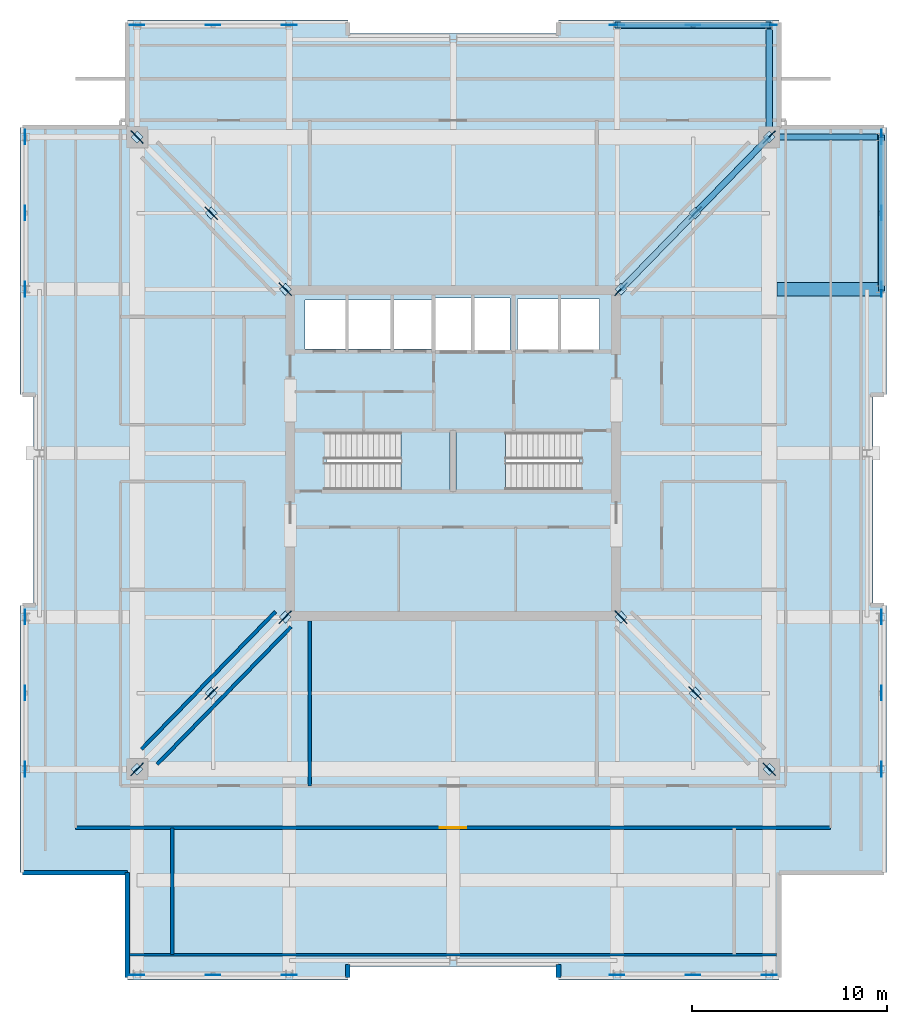
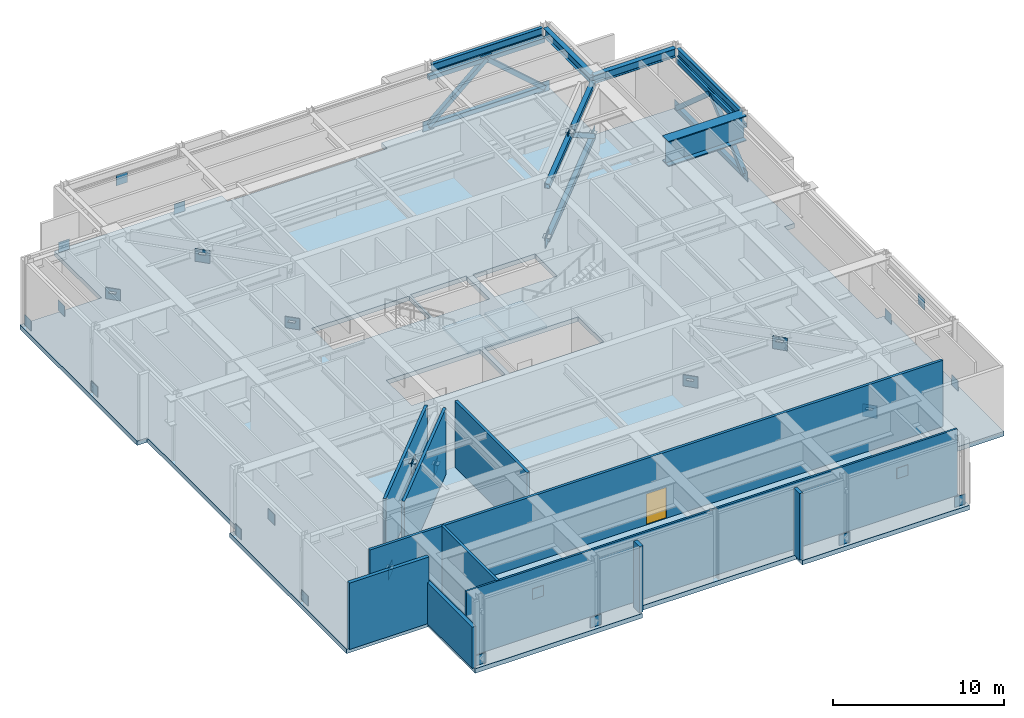
# One storey, part 4 of 10: 48 plates, 11 members, 10 walls, 5 beams, 3 slabs, 1 door, 1 opening, 2 elements without a shape of their own.
"""IFC4 building model written with IfcOpenShell, lengths in metres."""

from ifc_helpers import new_model, si_unit, direction, frame, frame_2d, origin, origin_2d, place, context, subcontext, project, spatial, polyline, rectangle, hollow_rectangle, i_section, outline, extrude, material, layer, layer_set, material_profile, profile_set, type_object, element, fill, aggregate, save


model = new_model("IFC4")

# Units and contexts
model_context = context("Model", 3, precision=1e-05, world=origin(), true_north=direction((0.0, 1.0)))
body_context = subcontext(model_context, "Body", "Model", "MODEL_VIEW")
ifc_project = project(units=[si_unit("LENGTHUNIT", "METRE"), si_unit("AREAUNIT", "SQUARE_METRE"), si_unit("VOLUMEUNIT", "CUBIC_METRE"), si_unit("PLANEANGLEUNIT", "RADIAN"), si_unit("MASSUNIT", "GRAM", prefix="KILO")], contexts=[model_context])

# Site, building, storey
site_placement = place(None, origin())
site = spatial("IfcSite", under=ifc_project, at=site_placement, CompositionType="ELEMENT")
building_placement = place(site_placement, origin())
building = spatial("IfcBuilding", under=site, at=building_placement, Name="Drelvath Grand Hotel", CompositionType="ELEMENT")
storey_placement = place(building_placement, frame((0.0, 0.0, 260.0)))
storey = spatial("IfcBuildingStorey", under=building, at=storey_placement, Name="L68", CompositionType="ELEMENT", Elevation=260.0)

# Beam
ifc_material_1 = material(Name="Steel ASTM A572 Gr 50", Category="steel")
ifc_material_profile_1 = material_profile(ifc_material_1, i_section(OverallWidth=0.699951171875, OverallDepth=1.800048828125, WebThickness=0.035888671875, FlangeThickness=0.06494140625, at=origin_2d()), Name="PG1800X700")
ifc_profile_set_1 = profile_set([ifc_material_profile_1], Name="Steel ASTM A572 Gr 50")
beam_type_1 = type_object("IfcBeamType", Name="Built-Up Transfer Girder PG1800X700", PredefinedType="BEAM", material=ifc_profile_set_1)
beam_placement = place(storey_placement, frame((16.60009765625, 35.39990234375, 3.840087890625), z_axis=(1.0, 0.0, 0.0), x_axis=(0.0, 1.0, 0.0)))
element("IfcBeam", 1, at=beam_placement, inside=storey, type_object=beam_type_1, Name="L68 Recess Transfer Girder EF", PredefinedType="BEAM", context=body_context, shape_type="SweptSolid", body=[
    extrude(i_section(OverallWidth=0.699951171875, OverallDepth=1.800048828125, WebThickness=0.035888671875, FlangeThickness=0.06494140625, at=origin_2d()), origin(), (0.0, 0.0, 1.0), 5.27978515625),
])

# Members
ifc_material_2 = material(Name="Steel ASTM A500 Gr C", Category="steel")
ifc_material_profile_2 = material_profile(ifc_material_2, hollow_rectangle(XDim=0.3046875, YDim=0.3046875, WallThickness=0.0126953125, at=origin_2d()), Name="HSS305X305X13")
ifc_profile_set_2 = profile_set([ifc_material_profile_2], Name="Steel ASTM A500 Gr C")
member_type_1 = type_object("IfcMemberType", Name="Outrigger and Belt Truss Brace HSS305X305X13", PredefinedType="BRACE", material=ifc_profile_set_2)
member_1_placement = place(storey_placement, frame((12.39990234375, 39.300048828125, 4.14990234375), z_axis=(0.572306083151, 0.587344514761, -0.572269314369), x_axis=(-0.716216371491, 0.697878291114, 0.0)))
element("IfcMember", 2, at=member_1_placement, inside=storey, type_object=member_type_1, Name="L68 Outrigger Truss Diagonal NE-2", PredefinedType="BRACE", context=body_context, shape_type="SweptSolid", body=[
    extrude(hollow_rectangle(XDim=0.3046875, YDim=0.3046875, WallThickness=0.0126953125, at=origin_2d()), origin(), (0.0, 0.0, 1.0), 6.639892578125),
])
member_2_placement = place(storey_placement, frame((21.949951171875, 35.39990234375, 0.35009765625), z_axis=(0.0, 0.750923290114, 0.660389439925), x_axis=(-1.0, 0.0, 0.0)))
element("IfcMember", 3, at=member_2_placement, inside=storey, type_object=member_type_1, Name="L68 Belt Truss Diagonal BE-N-1", PredefinedType="BRACE", context=body_context, shape_type="SweptSolid", body=[
    extrude(hollow_rectangle(XDim=0.3046875, YDim=0.3046875, WallThickness=0.0126953125, at=origin_2d()), origin(), (0.0, 0.0, 1.0), 5.19384765625),
])
member_3_placement = place(storey_placement, frame((21.949951171875, 39.300048828125, 3.780029296875), z_axis=(0.0, 0.750902788977, -0.660412750866), x_axis=(-1.0, 0.0, 0.0)))
element("IfcMember", 4, at=member_3_placement, inside=storey, type_object=member_type_1, Name="L68 Belt Truss Diagonal BE-N-2", PredefinedType="BRACE", context=body_context, shape_type="SweptSolid", body=[
    extrude(hollow_rectangle(XDim=0.3046875, YDim=0.3046875, WallThickness=0.0126953125, at=origin_2d()), origin(), (0.0, 0.0, 1.0), 5.193603515625),
])
member_4_placement = place(storey_placement, frame((8.39990234375, 48.949951171875, 0.35009765625), z_axis=(0.750923290114, 0.0, 0.660389439925), x_axis=(0.0, 1.0, 0.0)))
element("IfcMember", 5, at=member_4_placement, inside=storey, type_object=member_type_1, Name="L68 Belt Truss Diagonal BN-E-1", PredefinedType="BRACE", context=body_context, shape_type="SweptSolid", body=[
    extrude(hollow_rectangle(XDim=0.3046875, YDim=0.3046875, WallThickness=0.0126953125, at=origin_2d()), origin(), (0.0, 0.0, 1.0), 5.19384765625),
])
member_5_placement = place(storey_placement, frame((12.300048828125, 48.949951171875, 3.780029296875), z_axis=(0.750902788977, 0.0, -0.660412750866), x_axis=(0.0, 1.0, 0.0)))
element("IfcMember", 6, at=member_5_placement, inside=storey, type_object=member_type_1, Name="L68 Belt Truss Diagonal BN-E-2", PredefinedType="BRACE", context=body_context, shape_type="SweptSolid", body=[
    extrude(hollow_rectangle(XDim=0.3046875, YDim=0.3046875, WallThickness=0.0126953125, at=origin_2d()), origin(), (0.0, 0.0, 1.0), 5.193603515625),
])
ifc_material_profile_3 = material_profile(ifc_material_2, hollow_rectangle(XDim=0.3046875, YDim=0.3046875, WallThickness=0.0126953125, at=origin_2d()), Name="HSS305X305X13")
ifc_profile_set_3 = profile_set([ifc_material_profile_3], Name="Steel ASTM A500 Gr C")
member_type_2 = type_object("IfcMemberType", Name="Outrigger and Belt Truss Chord HSS305X305X13", PredefinedType="CHORD", material=ifc_profile_set_3)
for number, where, z_axis, x_axis, name in (
    (7, (8.60009765625, 35.39990234375, 0.35009765625), (0.697855585679, 0.716238494872, 0.0), (-0.716238494872, 0.697855585679, 0.0), "L68 Outrigger Truss Bottom Chord NE"),
    (8, (8.60009765625, 35.39990234375, 4.14990234375), (0.697855585679, 0.716238494872, 0.0), (-0.716238494872, 0.697855585679, 0.0), "L68 Outrigger Truss Top Chord NE"),
):
    element("IfcMember", number, at=place(storey_placement, frame(where, z_axis=z_axis, x_axis=x_axis)), inside=storey, type_object=member_type_2, Name=name, PredefinedType="CHORD", context=body_context, shape_type="SweptSolid", body=[
        extrude(hollow_rectangle(XDim=0.3046875, YDim=0.3046875, WallThickness=0.0126953125, at=origin_2d()), origin(), (0.0, 0.0, 1.0), 10.890380859375),
    ])
for number, where, z_axis, x_axis, name in (
    (9, (21.949951171875, 35.39990234375, 0.35009765625), (0.0, 1.0, 0.0), (-1.0, 0.0, 0.0), "L68 Belt Truss Bottom Chord BE-N"),
    (10, (21.949951171875, 35.39990234375, 3.780029296875), (0.0, 1.0, 0.0), (-1.0, 0.0, 0.0), "L68 Belt Truss Top Chord BE-N"),
    (11, (8.39990234375, 48.949951171875, 0.35009765625), (1.0, 0.0, 0.0), (0.0, 1.0, 0.0), "L68 Belt Truss Bottom Chord BN-E"),
    (12, (8.39990234375, 48.949951171875, 3.780029296875), (1.0, 0.0, 0.0), (0.0, 1.0, 0.0), "L68 Belt Truss Top Chord BN-E"),
):
    element("IfcMember", number, at=place(storey_placement, frame(where, z_axis=z_axis, x_axis=x_axis)), inside=storey, type_object=member_type_2, Name=name, PredefinedType="CHORD", context=body_context, shape_type="SweptSolid", body=[
        extrude(hollow_rectangle(XDim=0.3046875, YDim=0.3046875, WallThickness=0.0126953125, at=origin_2d()), origin(), (0.0, 0.0, 1.0), 7.800048828125),
    ])

# Beams
ifc_material_3 = material(Name="Steel ASTM A992 Gr 50", Category="steel")
ifc_material_profile_4 = material_profile(ifc_material_3, i_section(OverallWidth=0.210205078125, OverallDepth=0.53662109375, WebThickness=0.010986328125, FlangeThickness=0.017333984375, FilletRadius=0.01806640625, at=origin_2d()), Name="W21X68")
ifc_profile_set_4 = profile_set([ifc_material_profile_4], Name="Steel ASTM A992 Gr 50")
beam_type_2 = type_object("IfcBeamType", Name="Perimeter Spandrel Beam W21X68", PredefinedType="SPANDREL", material=ifc_profile_set_4)
for number, where, z_axis, x_axis, name in (
    (13, (21.8798828125, 35.5400390625, 4.4716796875), (0.0, 1.0, 0.0), (-1.0, 0.0, 0.0), "L68 Spandrel East N"),
    (14, (8.5400390625, 48.8798828125, 4.4716796875), (1.0, 0.0, 0.0), (0.0, 1.0, 0.0), "L68 Spandrel North E"),
):
    element("IfcBeam", number, at=place(storey_placement, frame(where, z_axis=z_axis, x_axis=x_axis)), inside=storey, type_object=beam_type_2, Name=name, PredefinedType="SPANDREL", context=body_context, shape_type="SweptSolid", body=[
        extrude(i_section(OverallWidth=0.210205078125, OverallDepth=0.53662109375, WebThickness=0.010986328125, FlangeThickness=0.017333984375, FilletRadius=0.01806640625, at=origin_2d()), origin(), (0.0, 0.0, 1.0), 7.52001953125),
    ])
ifc_material_profile_5 = material_profile(ifc_material_3, i_section(OverallWidth=0.323974609375, OverallDepth=0.611083984375, WebThickness=0.0126953125, FlangeThickness=0.01904296875, FilletRadius=0.02197265625, at=origin_2d()), Name="W24X104")
ifc_profile_set_5 = profile_set([ifc_material_profile_5], Name="Steel ASTM A992 Gr 50")
beam_type_3 = type_object("IfcBeamType", Name="Primary Floor Girder W24X104", PredefinedType="BEAM", material=ifc_profile_set_5)
for number, where, z_axis, x_axis, name in (
    (15, (16.199951171875, 43.199951171875, 4.4345703125), (1.0, 0.0, 0.0), (0.0, 1.0, 0.0), "L68 East Grid Girder G"),
    (16, (16.199951171875, 43.199951171875, 4.4345703125), (0.0, 1.0, 0.0), (-1.0, 0.0, 0.0), "L68 North Grid Girder 7"),
):
    element("IfcBeam", number, at=place(storey_placement, frame(where, z_axis=z_axis, x_axis=x_axis)), inside=storey, type_object=beam_type_3, Name=name, PredefinedType="BEAM", context=body_context, shape_type="SweptSolid", body=[
        extrude(i_section(OverallWidth=0.323974609375, OverallDepth=0.611083984375, WebThickness=0.0126953125, FlangeThickness=0.01904296875, FilletRadius=0.02197265625, at=origin_2d()), origin(), (0.0, 0.0, 1.0), 5.5400390625),
    ])

# Plates
ifc_layer_1 = layer(ifc_material_1, 0.031982421875)
ifc_layer_set_1 = layer_set([ifc_layer_1], Name="Steel ASTM A572 Gr 50")
plate_type_1 = type_object("IfcPlateType", Name="Belt Truss Node Gusset Plate 32mm", PredefinedType="USERDEFINED", material=ifc_layer_set_1)
for number, where, z_axis, x_axis, name in (
    (17, (-21.949951171875, 10.800048828125, -0.02490234375), (0.0, 0.0, 1.0), (0.0, 1.0, 0.0), "L68 Belt Truss Start Gusset BW-S"),
    (18, (-21.949951171875, 14.699951171875, 3.405029296875), (0.0, 0.0, 1.0), (0.0, 1.0, 0.0), "L68 Belt Truss Apex Gusset BW-S"),
    (19, (-21.949951171875, 18.60009765625, -0.02490234375), (0.0, 0.0, 1.0), (0.0, 1.0, 0.0), "L68 Belt Truss End Gusset BW-S"),
    (20, (-21.949951171875, 35.39990234375, -0.02490234375), (0.0, 0.0, 1.0), (0.0, 1.0, 0.0), "L68 Belt Truss Start Gusset BW-N"),
    (21, (-21.949951171875, 39.300048828125, 3.405029296875), (0.0, 0.0, 1.0), (0.0, 1.0, 0.0), "L68 Belt Truss Apex Gusset BW-N"),
    (22, (-21.949951171875, 43.199951171875, -0.02490234375), (0.0, 0.0, 1.0), (0.0, 1.0, 0.0), "L68 Belt Truss End Gusset BW-N"),
    (23, (21.949951171875, 10.800048828125, -0.02490234375), (0.0, 0.0, 1.0), (0.0, 1.0, 0.0), "L68 Belt Truss Start Gusset BE-S"),
    (24, (21.949951171875, 14.699951171875, 3.405029296875), (0.0, 0.0, 1.0), (0.0, 1.0, 0.0), "L68 Belt Truss Apex Gusset BE-S"),
    (25, (21.949951171875, 18.60009765625, -0.02490234375), (0.0, 0.0, 1.0), (0.0, 1.0, 0.0), "L68 Belt Truss End Gusset BE-S"),
    (26, (21.949951171875, 35.39990234375, -0.02490234375), (0.0, 0.0, 1.0), (0.0, 1.0, 0.0), "L68 Belt Truss Start Gusset BE-N"),
    (27, (21.949951171875, 39.300048828125, 3.405029296875), (0.0, 0.0, 1.0), (0.0, 1.0, 0.0), "L68 Belt Truss Apex Gusset BE-N"),
    (28, (21.949951171875, 43.199951171875, -0.02490234375), (0.0, 0.0, 1.0), (0.0, 1.0, 0.0), "L68 Belt Truss End Gusset BE-N"),
    (29, (-16.199951171875, 0.25, -0.02490234375), (0.0, 0.0, 1.0), (1.0, 0.0, 0.0), "L68 Belt Truss Start Gusset BS-W"),
    (30, (-12.300048828125, 0.25, 3.405029296875), (0.0, 0.0, 1.0), (1.0, 0.0, 0.0), "L68 Belt Truss Apex Gusset BS-W"),
    (31, (-8.39990234375, 0.25, -0.02490234375), (0.0, 0.0, 1.0), (1.0, 0.0, 0.0), "L68 Belt Truss End Gusset BS-W"),
    (32, (8.39990234375, 0.25, -0.02490234375), (0.0, 0.0, 1.0), (1.0, 0.0, 0.0), "L68 Belt Truss Start Gusset BS-E"),
    (33, (12.300048828125, 0.25, 3.405029296875), (0.0, 0.0, 1.0), (1.0, 0.0, 0.0), "L68 Belt Truss Apex Gusset BS-E"),
    (34, (16.199951171875, 0.25, -0.02490234375), (0.0, 0.0, 1.0), (1.0, 0.0, 0.0), "L68 Belt Truss End Gusset BS-E"),
    (35, (-16.199951171875, 48.949951171875, -0.02490234375), (0.0, 0.0, 1.0), (1.0, 0.0, 0.0), "L68 Belt Truss Start Gusset BN-W"),
    (36, (-12.300048828125, 48.949951171875, 3.405029296875), (0.0, 0.0, 1.0), (1.0, 0.0, 0.0), "L68 Belt Truss Apex Gusset BN-W"),
    (37, (-8.39990234375, 48.949951171875, -0.02490234375), (0.0, 0.0, 1.0), (1.0, 0.0, 0.0), "L68 Belt Truss End Gusset BN-W"),
    (38, (8.39990234375, 48.949951171875, -0.02490234375), (0.0, 0.0, 1.0), (1.0, 0.0, 0.0), "L68 Belt Truss Start Gusset BN-E"),
    (39, (12.300048828125, 48.949951171875, 3.405029296875), (0.0, 0.0, 1.0), (1.0, 0.0, 0.0), "L68 Belt Truss Apex Gusset BN-E"),
    (40, (16.199951171875, 48.949951171875, -0.02490234375), (0.0, 0.0, 1.0), (1.0, 0.0, 0.0), "L68 Belt Truss End Gusset BN-E"),
):
    element("IfcPlate", number, at=place(storey_placement, frame(where, z_axis=z_axis, x_axis=x_axis)), inside=storey, type_object=plate_type_1, Name=name, ObjectType="GUSSET_PLATE", PredefinedType="USERDEFINED", context=body_context, shape_type="SweptSolid", body=[
        extrude(rectangle(XDim=0.75, YDim=0.031982421875, at=origin_2d()), origin(), (0.0, 0.0, 1.0), 0.75),
    ])

# Slab
ifc_material_4 = material(Name="Concrete f'c 40 MPa", Category="concrete")
ifc_layer_2 = layer(ifc_material_4, 0.320068359375)
ifc_layer_set_2 = layer_set([ifc_layer_2], Name="Concrete f'c 40 MPa")
slab_type_1 = type_object("IfcSlabType", Name="Composite RC Floor Slab 320", PredefinedType="FLOOR", material=ifc_layer_set_2)
slab_1_placement = place(storey_placement, frame((0.0, 0.0, -0.320068359375)))
element("IfcSlab", 41, at=slab_1_placement, inside=storey, type_object=slab_type_1, Name="L68 Structural Floor Slab", PredefinedType="FLOOR", context=body_context, shape_type="SweptSolid", body=[
    extrude(outline(polyline([(-16.699951171875, 0.0), (-5.39990234375, 0.0), (-5.39990234375, 0.679931640625), (5.39990234375, 0.679931640625), (5.39990234375, 0.0), (16.699951171875, 0.0), (16.699951171875, 5.5), (22.199951171875, 5.5), (22.199951171875, 19.199951171875), (21.52001953125, 19.199951171875), (21.52001953125, 30.0), (22.199951171875, 30.0), (22.199951171875, 43.699951171875), (16.699951171875, 43.699951171875), (16.699951171875, 49.199951171875), (5.39990234375, 49.199951171875), (5.39990234375, 48.52001953125), (-5.39990234375, 48.52001953125), (-5.39990234375, 49.199951171875), (-16.699951171875, 49.199951171875), (-16.699951171875, 43.699951171875), (-22.199951171875, 43.699951171875), (-22.199951171875, 30.0), (-21.52001953125, 30.0), (-21.52001953125, 19.199951171875), (-22.199951171875, 19.199951171875), (-22.199951171875, 5.5), (-16.699951171875, 5.5), (-16.699951171875, 0.0)]), holes=[polyline([(-6.47998046875, 25.1201171875), (-6.47998046875, 28.080078125), (-0.14990234375, 28.080078125), (-0.14990234375, 25.1201171875), (-6.47998046875, 25.1201171875)]), polyline([(0.14990234375, 25.1201171875), (0.14990234375, 28.080078125), (6.47998046875, 28.080078125), (6.47998046875, 25.1201171875), (0.14990234375, 25.1201171875)]), polyline([(-7.60009765625, 32.35009765625), (-7.60009765625, 34.85009765625), (-1.02001953125, 34.85009765625), (-1.02001953125, 32.35009765625), (-7.60009765625, 32.35009765625)]), polyline([(-0.89990234375, 32.25), (-0.89990234375, 34.949951171875), (2.89990234375, 34.949951171875), (2.89990234375, 32.25), (-0.89990234375, 32.25)]), polyline([(3.300048828125, 32.300048828125), (3.300048828125, 34.89990234375), (7.5, 34.89990234375), (7.5, 32.300048828125), (3.300048828125, 32.300048828125)])]), origin(), (0.0, 0.0, 1.0), 0.320068359375),
])

# Stair, slab
ifc_material_5 = material(Name="Concrete C40/50", Category="concrete")
stair_type = type_object("IfcStairType", Name="Dogleg Exit Stair W1400-R166.7", PredefinedType="HALF_TURN_STAIR", material=ifc_material_5)
stair_1_placement = place(storey_placement, origin())
stair_1 = element("IfcStair", 42, at=stair_1_placement, inside=storey, type_object=stair_type, Name="L68 Core Exit Stair ST-1", PredefinedType="HALF_TURN_STAIR")
ifc_layer_3 = layer(ifc_material_5, 0.199951171875)
ifc_layer_set_3 = layer_set([ifc_layer_3], Name="Concrete C40/50")
slab_type_2 = type_object("IfcSlabType", Name="Concrete Stair Landing Slab 200", PredefinedType="LANDING", material=ifc_layer_set_3)
slab_2_placement = place(storey_placement, frame((0.0, 0.0, 2.300048828125)))
slab_2 = element("IfcSlab", 43, at=slab_2_placement, type_object=slab_type_2, Name="ST-1 landing 1", PredefinedType="LANDING", context=body_context, shape_type="SweptSolid", body=[
    extrude(outline(polyline([(-2.679931640625, 25.1201171875), (-0.14990234375, 25.1201171875), (-0.14990234375, 28.080078125), (-2.679931640625, 28.080078125), (-2.679931640625, 25.1201171875)])), origin(), (0.0, 0.0, 1.0), 0.199951171875),
])
aggregate(stair_1, [slab_2])

stair_2_placement = place(storey_placement, origin())
stair_2 = element("IfcStair", 44, at=stair_2_placement, inside=storey, type_object=stair_type, Name="L68 Core Exit Stair ST-2", PredefinedType="HALF_TURN_STAIR")
slab_3_placement = place(storey_placement, frame((0.0, 0.0, 2.300048828125)))
slab_3 = element("IfcSlab", 45, at=slab_3_placement, type_object=slab_type_2, Name="ST-2 landing 1", PredefinedType="LANDING", context=body_context, shape_type="SweptSolid", body=[
    extrude(outline(polyline([(2.679931640625, 28.080078125), (0.14990234375, 28.080078125), (0.14990234375, 25.1201171875), (2.679931640625, 25.1201171875), (2.679931640625, 28.080078125)])), origin(), (0.0, 0.0, 1.0), 0.199951171875),
])
aggregate(stair_2, [slab_3])

# Plates
ifc_layer_4 = layer(ifc_material_1, 0.02490234375)
ifc_layer_set_4 = layer_set([ifc_layer_4], Name="Steel ASTM A572 Gr 50")
plate_type_2 = type_object("IfcPlateType", Name="Hollow Section End Cap Plate 25mm", PredefinedType="SHEET", material=ifc_layer_set_4)
for number, where, z_axis, x_axis, name in (
    (46, (-8.60009765625, 18.60009765625, 0.5576171875), (0.0, 0.0, 1.0), (-0.697864726909, -0.716229588146, 0.0), "L68 Outrigger Hollow End Cap SW-1"),
    (47, (-12.39990234375, 14.699951171875, 4.357666015625), (0.0, 0.0, 1.0), (-0.697864726909, -0.716229588146, 0.0), "L68 Outrigger Hollow End Cap SW-2"),
    (48, (-16.199951171875, 10.800048828125, 0.5576171875), (0.0, 0.0, 1.0), (-0.697864726909, -0.716229588146, 0.0), "L68 Outrigger Hollow End Cap SW-3"),
    (49, (8.60009765625, 18.60009765625, 0.5576171875), (0.0, 0.0, 1.0), (0.697864726909, -0.716229588146, 0.0), "L68 Outrigger Hollow End Cap SE-1"),
    (50, (12.39990234375, 14.699951171875, 4.357666015625), (0.0, 0.0, 1.0), (0.697864726909, -0.716229588146, 0.0), "L68 Outrigger Hollow End Cap SE-2"),
    (51, (16.199951171875, 10.800048828125, 0.5576171875), (0.0, 0.0, 1.0), (0.697864726909, -0.716229588146, 0.0), "L68 Outrigger Hollow End Cap SE-3"),
    (52, (-8.60009765625, 35.39990234375, 0.5576171875), (0.0, 0.0, 1.0), (-0.697864726909, 0.716229588146, 0.0), "L68 Outrigger Hollow End Cap NW-1"),
    (53, (-12.39990234375, 39.300048828125, 4.357666015625), (0.0, 0.0, 1.0), (-0.697864726909, 0.716229588146, 0.0), "L68 Outrigger Hollow End Cap NW-2"),
    (54, (-16.199951171875, 43.199951171875, 0.5576171875), (0.0, 0.0, 1.0), (-0.697864726909, 0.716229588146, 0.0), "L68 Outrigger Hollow End Cap NW-3"),
    (55, (8.60009765625, 35.39990234375, 0.5576171875), (0.0, 0.0, 1.0), (0.697864726909, 0.716229588146, 0.0), "L68 Outrigger Hollow End Cap NE-1"),
    (56, (12.39990234375, 39.300048828125, 4.357666015625), (0.0, 0.0, 1.0), (0.697864726909, 0.716229588146, 0.0), "L68 Outrigger Hollow End Cap NE-2"),
    (57, (16.199951171875, 43.199951171875, 0.5576171875), (0.0, 0.0, 1.0), (0.697864726909, 0.716229588146, 0.0), "L68 Outrigger Hollow End Cap NE-3"),
):
    element("IfcPlate", number, at=place(storey_placement, frame(where, z_axis=z_axis, x_axis=x_axis)), inside=storey, type_object=plate_type_2, Name=name, PredefinedType="SHEET", context=body_context, shape_type="SweptSolid", body=[
        extrude(rectangle(XDim=0.43994140625, YDim=0.43994140625, at=origin_2d()), origin(), (0.0, 0.0, 1.0), 0.02490234375),
    ])
ifc_layer_5 = layer(ifc_material_1, 0.0400390625)
ifc_layer_set_5 = layer_set([ifc_layer_5], Name="Steel ASTM A572 Gr 50")
plate_type_3 = type_object("IfcPlateType", Name="Outrigger Node Gusset Plate 40mm", PredefinedType="USERDEFINED", material=ifc_layer_set_5)
for number, where, z_axis, x_axis, name in (
    (58, (-8.60009765625, 18.60009765625, -0.099853515625), (0.0, 0.0, 1.0), (-0.697864726909, -0.716229588146, 0.0), "L68 Outrigger Node Gusset SW-1"),
    (59, (-12.39990234375, 14.699951171875, 3.699951171875), (0.0, 0.0, 1.0), (-0.697864726909, -0.716229588146, 0.0), "L68 Outrigger Node Gusset SW-2"),
    (60, (-16.199951171875, 10.800048828125, -0.099853515625), (0.0, 0.0, 1.0), (-0.697864726909, -0.716229588146, 0.0), "L68 Outrigger Node Gusset SW-3"),
    (61, (8.60009765625, 18.60009765625, -0.099853515625), (0.0, 0.0, 1.0), (0.697864726909, -0.716229588146, 0.0), "L68 Outrigger Node Gusset SE-1"),
    (62, (12.39990234375, 14.699951171875, 3.699951171875), (0.0, 0.0, 1.0), (0.697864726909, -0.716229588146, 0.0), "L68 Outrigger Node Gusset SE-2"),
    (63, (16.199951171875, 10.800048828125, -0.099853515625), (0.0, 0.0, 1.0), (0.697864726909, -0.716229588146, 0.0), "L68 Outrigger Node Gusset SE-3"),
    (64, (-8.60009765625, 35.39990234375, -0.099853515625), (0.0, 0.0, 1.0), (-0.697864726909, 0.716229588146, 0.0), "L68 Outrigger Node Gusset NW-1"),
    (65, (-12.39990234375, 39.300048828125, 3.699951171875), (0.0, 0.0, 1.0), (-0.697864726909, 0.716229588146, 0.0), "L68 Outrigger Node Gusset NW-2"),
    (66, (-16.199951171875, 43.199951171875, -0.099853515625), (0.0, 0.0, 1.0), (-0.697864726909, 0.716229588146, 0.0), "L68 Outrigger Node Gusset NW-3"),
    (67, (8.60009765625, 35.39990234375, -0.099853515625), (0.0, 0.0, 1.0), (0.697864726909, 0.716229588146, 0.0), "L68 Outrigger Node Gusset NE-1"),
    (68, (12.39990234375, 39.300048828125, 3.699951171875), (0.0, 0.0, 1.0), (0.697864726909, 0.716229588146, 0.0), "L68 Outrigger Node Gusset NE-2"),
    (69, (16.199951171875, 43.199951171875, -0.099853515625), (0.0, 0.0, 1.0), (0.697864726909, 0.716229588146, 0.0), "L68 Outrigger Node Gusset NE-3"),
):
    element("IfcPlate", number, at=place(storey_placement, frame(where, z_axis=z_axis, x_axis=x_axis)), inside=storey, type_object=plate_type_3, Name=name, ObjectType="GUSSET_PLATE", PredefinedType="USERDEFINED", context=body_context, shape_type="SweptSolid", body=[
        extrude(rectangle(XDim=0.89990234375, YDim=0.0400390625, at=origin_2d()), origin(), (0.0, 0.0, 1.0), 0.89990234375),
    ])

# Walls
ifc_material_6 = material(Name="Gypsum Fireboard Partition")
ifc_layer_6 = layer(ifc_material_6, 0.135009765625)
ifc_layer_set_6 = layer_set([ifc_layer_6], Name="Gypsum Fireboard Partition")
wall_type_1 = type_object("IfcWallType", Name="Corridor Fire Barrier Wall 135", PredefinedType="PARTITIONING", material=ifc_layer_set_6)
wall_1_placement = place(storey_placement, frame((-16.580078125, 1.300048828125, 0.0), z_axis=(0.0, 0.0, 1.0), x_axis=(1.0, 0.0, 0.0)))
element("IfcWall", 70, at=wall_1_placement, inside=storey, type_object=wall_type_1, Name="L68 South Belt Plenum Wall", PredefinedType="PARTITIONING", context=body_context, shape_type="SweptSolid", body=[
    extrude(rectangle(XDim=33.16015625, YDim=0.135009765625, at=frame_2d((16.580078125, 0.0))), origin(), (0.0, 0.0, 1.0), 4.739990234375),
])
ifc_layer_7 = layer(ifc_material_6, 0.179931640625)
ifc_layer_set_7 = layer_set([ifc_layer_7], Name="Gypsum Fireboard Partition")
wall_type_2 = type_object("IfcWallType", Name="FSAE Smoke Lobby Fire Wall 180", PredefinedType="SOLIDWALL", material=ifc_layer_set_7)
for number, where, z_axis, x_axis, name in (
    (71, (-9.105712890625, 18.88330078125, 0.0), (0.0, 0.0, 1.0), (-0.697867337648, -0.71622704434, 0.0), "L68 Truss SW Fire Bulkhead A"),
    (72, (-8.3037109375, 18.101806640625, 0.0), (0.0, 0.0, 1.0), (-0.697854936738, -0.716239127157, 0.0), "L68 Truss SW Fire Bulkhead B"),
):
    element("IfcWall", number, at=place(storey_placement, frame(where, z_axis=z_axis, x_axis=x_axis)), inside=storey, type_object=wall_type_2, Name=name, PredefinedType="SOLIDWALL", context=body_context, shape_type="SweptSolid", body=[
        extrude(rectangle(XDim=9.84033203125, YDim=0.179931640625, at=frame_2d((4.920166015625, 0.0))), origin(), (0.0, 0.0, 1.0), 4.739990234375),
    ])

# Wall, opening, door
wall_2_placement = place(storey_placement, frame((-19.35009765625, 7.800048828125, 0.0), z_axis=(0.0, 0.0, 1.0), x_axis=(1.0, 0.0, 0.0)))
wall_2 = element("IfcWall", 73, at=wall_2_placement, inside=storey, type_object=wall_type_2, Name="L68 South Connector Outer Wall", PredefinedType="SOLIDWALL", context=body_context, shape_type="SweptSolid", body=[
    extrude(rectangle(XDim=38.7001953125, YDim=0.179931640625, at=frame_2d((19.35009765625, 0.0))), origin(), (0.0, 0.0, 1.0), 4.739990234375),
])
opening_placement = place(wall_2_placement, frame((18.669921875, 0.0, 0.0)))
opening = element("IfcOpeningElement", 74, at=opening_placement, cuts=wall_2, Name="Opening D-L68-022", PredefinedType="OPENING", context=body_context, shape_type="SweptSolid", body=[
    extrude(rectangle(XDim=1.360107421875, YDim=2.199951171875, at=frame_2d((0.68017578125, 1.10009765625))), frame((0.0, 0.099853515625, 0.0), z_axis=(0.0, -1.0, 0.0), x_axis=(1.0, 0.0, 0.0)), (0.0, 0.0, 1.0), 0.199951171875),
])
ifc_material_7 = material(Name="Painted Steel S275", Category="steel")
door_type = type_object("IfcDoorType", Name="Plant Equipment Double Fire Door 1360x2200", OperationType="NOTDEFINED", PredefinedType="DOOR", material=ifc_material_7)
door_placement = place(opening_placement, origin())
door = element("IfcDoor", 75, at=door_placement, inside=storey, type_object=door_type, Name="L68 South Perimeter Refuge Door", OperationType="SINGLE_SWING_LEFT", OverallHeight=2.199951171875, OverallWidth=1.360107421875, PredefinedType="DOOR", context=body_context, shape_type="SweptSolid", body=[
    extrude(rectangle(XDim=1.360107421875, YDim=2.199951171875, at=frame_2d((0.68017578125, 1.10009765625))), frame((0.0, 0.02490234375, 0.0), z_axis=(0.0, -1.0, 0.0), x_axis=(1.0, 0.0, 0.0)), (0.0, 0.0, 1.0), 0.050048828125),
])
fill(opening, door)

# Walls
wall_3_placement = place(storey_placement, frame((-7.35009765625, 9.949951171875, 0.0), z_axis=(0.0, 0.0, 1.0), x_axis=(0.0, 1.0, 0.0)))
element("IfcWall", 76, at=wall_3_placement, inside=storey, type_object=wall_type_2, Name="L68 South Refuge Inner West Wall", PredefinedType="SOLIDWALL", context=body_context, shape_type="SweptSolid", body=[
    extrude(rectangle(XDim=8.449951171875, YDim=0.179931640625, at=frame_2d((4.22509765625, 0.0))), origin(), (0.0, 0.0, 1.0), 4.739990234375),
])
wall_4_placement = place(storey_placement, frame((-14.39990234375, 1.300048828125, 0.0), z_axis=(0.0, 0.0, 1.0), x_axis=(0.0, 1.0, 0.0)))
element("IfcWall", 77, at=wall_4_placement, inside=storey, type_object=wall_type_2, Name="L68 South Apron Refuge West Wall", PredefinedType="SOLIDWALL", context=body_context, shape_type="SweptSolid", body=[
    extrude(rectangle(XDim=6.5, YDim=0.179931640625, at=frame_2d((3.25, 0.0))), origin(), (0.0, 0.0, 1.0), 4.739990234375),
])
ifc_material_8 = material(Name="Pale-Metal Insulated Aluminium Spandrel Assembly", Category="aluminium")
ifc_layer_8 = layer(ifc_material_8, 0.239990234375)
ifc_layer_set_8 = layer_set([ifc_layer_8], Name="Pale-Metal Insulated Aluminium Spandrel Assembly")
wall_type_3 = type_object("IfcWallType", Name="Tower Insulated Metal Spandrel Closure Wall 240", PredefinedType="STANDARD", material=ifc_layer_set_8)
wall_5_placement = place(storey_placement, frame((-16.699951171875, 0.1201171875, 0.0), z_axis=(0.0, 0.0, 1.0), x_axis=(0.0, 1.0, 0.0)))
element("IfcWall", 78, at=wall_5_placement, inside=storey, type_object=wall_type_3, Name="L68 Notched Corner Return Spandrel Wall CSW1", PredefinedType="STANDARD", context=body_context, shape_type="SweptSolid", body=[
    extrude(rectangle(XDim=5.3798828125, YDim=0.239990234375, at=frame_2d((2.68994140625, 0.0))), origin(), (0.0, 0.0, 1.0), 2.93994140625),
])
wall_6_placement = place(storey_placement, frame((-16.699951171875, 5.5, 0.0), z_axis=(0.0, 0.0, 1.0), x_axis=(-1.0, 0.0, 0.0)))
element("IfcWall", 79, at=wall_6_placement, inside=storey, type_object=wall_type_3, Name="L68 Notched Corner Return Spandrel Wall CSW2", PredefinedType="STANDARD", context=body_context, shape_type="SweptSolid", body=[
    extrude(rectangle(XDim=5.380126953125, YDim=0.239990234375, at=frame_2d((2.68994140625, 0.0))), origin(), (0.0, 0.0, 1.0), 4.739990234375),
])
for number, where, z_axis, x_axis, name in (
    (80, (5.39990234375, 0.1201171875, 0.0), (0.0, 0.0, 1.0), (0.0, 1.0, 0.0), "L68 Notched Corner Return Spandrel Wall RS1"),
    (81, (-5.39990234375, 0.800048828125, 0.0), (0.0, 0.0, 1.0), (0.0, -1.0, 0.0), "L68 Notched Corner Return Spandrel Wall RS2"),
):
    element("IfcWall", number, at=place(storey_placement, frame(where, z_axis=z_axis, x_axis=x_axis)), inside=storey, type_object=wall_type_3, Name=name, PredefinedType="STANDARD", context=body_context, shape_type="SweptSolid", body=[
        extrude(rectangle(XDim=0.679931640625, YDim=0.239990234375, at=frame_2d((0.33984375, 0.0))), origin(), (0.0, 0.0, 1.0), 4.739990234375),
    ])

save(model, "model.ifc")
